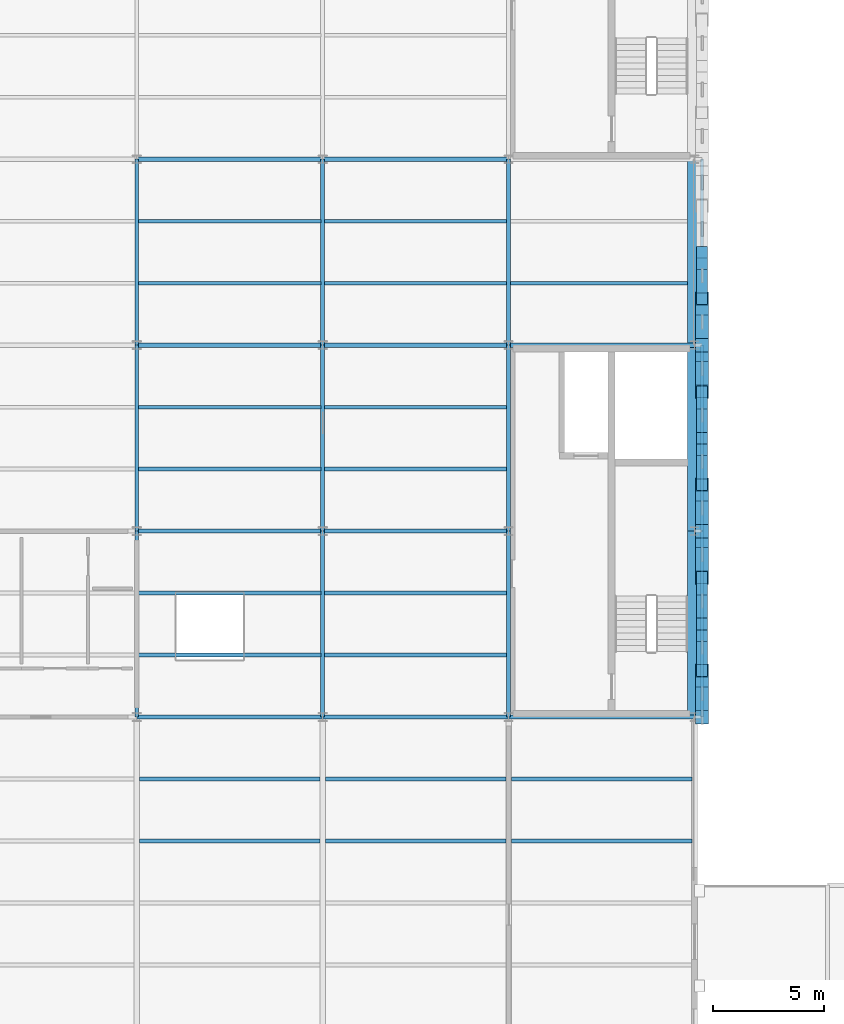
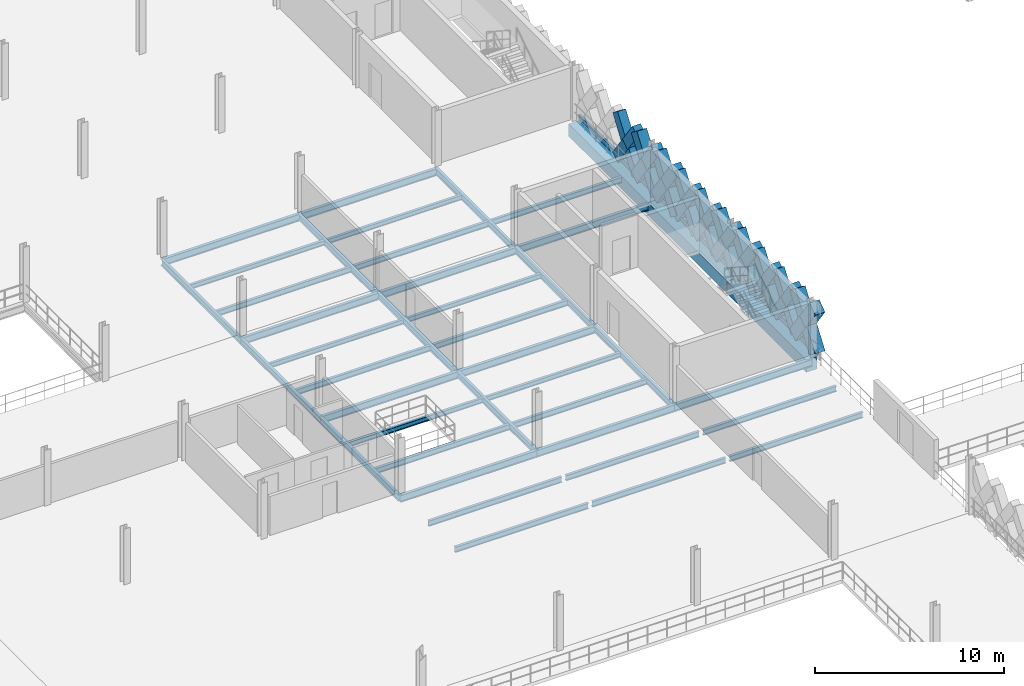
# One storey, part 32 of 101: 41 beams, 33 members.
"""IFC4 building model written with IfcOpenShell, lengths in metres."""

from ifc_helpers import new_model, si_unit, direction, frame, origin, origin_2d, place, context, subcontext, project, spatial, rectangle, hollow_rectangle, i_section, extrude, material, material_profile, profile_set, type_object, element, save


model = new_model("IFC4")

# Units and contexts
model_context = context("Model", 3, precision=1e-05, world=origin(), true_north=direction((0.0, 1.0)))
body_context = subcontext(model_context, "Body", "Model", "MODEL_VIEW")
ifc_project = project(units=[si_unit("LENGTHUNIT", "METRE"), si_unit("AREAUNIT", "SQUARE_METRE"), si_unit("VOLUMEUNIT", "CUBIC_METRE"), si_unit("PLANEANGLEUNIT", "RADIAN"), si_unit("MASSUNIT", "GRAM", prefix="KILO"), si_unit("THERMODYNAMICTEMPERATUREUNIT", "KELVIN"), si_unit("POWERUNIT", "WATT")], contexts=[model_context])

# Site, building, storey
site_placement = place(None, origin())
site = spatial("IfcSite", under=ifc_project, at=site_placement, CompositionType="ELEMENT")
building_placement = place(site_placement, origin())
building = spatial("IfcBuilding", under=site, at=building_placement, Name="Tembeka Court Mobility Hub", CompositionType="ELEMENT")
storey_placement = place(building_placement, frame((0.0, 0.0, 5.39990234375)))
storey = spatial("IfcBuildingStorey", under=building, at=storey_placement, Name="L01", CompositionType="ELEMENT", Elevation=5.39990234375)

# Beams
ifc_material_1 = material(Name="Steel S355", Category="steel")
ifc_material_profile_1 = material_profile(ifc_material_1, i_section(OverallWidth=0.18994140625, OverallDepth=0.45703125, WebThickness=0.009033203125, FlangeThickness=0.014404296875, FilletRadius=0.01025390625, at=origin_2d()), Name="UKB 457x191x74")
ifc_profile_set_1 = profile_set([ifc_material_profile_1], Name="Steel S355")
beam_type_1 = type_object("IfcBeamType", Name="BM-B01", PredefinedType="BEAM", material=ifc_profile_set_1)
beam_1_placement = place(storey_placement, frame((67.199951171875, 38.39990234375, -0.448486328125), z_axis=(1.0, 0.0, 0.0), x_axis=(0.0, 1.0, 0.0)))
element("IfcBeam", 1, at=beam_1_placement, inside=storey, type_object=beam_type_1, Name="Beam B01 (BM-L01-X0657)", PredefinedType="BEAM", context=body_context, shape_type="SweptSolid", body=[
    extrude(i_section(OverallWidth=0.18994140625, OverallDepth=0.45703125, WebThickness=0.009033203125, FlangeThickness=0.014404296875, FilletRadius=0.01025390625, at=origin_2d()), origin(), (0.0, 0.0, 1.0), 8.400146484375),
])
for number, where, z_axis, x_axis, name in (
    (2, (75.60009765625, 38.39990234375, -0.448486328125), (1.0, 0.0, 0.0), (0.0, 1.0, 0.0), "Beam B01 (BM-L01-X0658)"),
    (3, (84.0, 38.39990234375, -0.448486328125), (1.0, 0.0, 0.0), (0.0, 1.0, 0.0), "Beam B01 (BM-L01-X0659)"),
):
    element("IfcBeam", number, at=place(storey_placement, frame(where, z_axis=z_axis, x_axis=x_axis)), inside=storey, type_object=beam_type_1, Name=name, PredefinedType="BEAM", context=body_context, shape_type="SweptSolid", body=[
        extrude(i_section(OverallWidth=0.18994140625, OverallDepth=0.45703125, WebThickness=0.009033203125, FlangeThickness=0.014404296875, FilletRadius=0.01025390625, at=origin_2d()), origin(), (0.0, 0.0, 1.0), 8.39990234375),
    ])
beam_2_placement = place(storey_placement, frame((67.199951171875, 46.800048828125, -0.448486328125), z_axis=(1.0, 0.0, 0.0), x_axis=(0.0, 1.0, 0.0)))
element("IfcBeam", 4, at=beam_2_placement, inside=storey, type_object=beam_type_1, Name="Beam B01 (BM-L01-X0672)", PredefinedType="BEAM", context=body_context, shape_type="SweptSolid", body=[
    extrude(i_section(OverallWidth=0.18994140625, OverallDepth=0.45703125, WebThickness=0.009033203125, FlangeThickness=0.014404296875, FilletRadius=0.01025390625, at=origin_2d()), origin(), (0.0, 0.0, 1.0), 8.400146484375),
])
beam_3_placement = place(storey_placement, frame((75.60009765625, 46.800048828125, -0.448486328125), z_axis=(1.0, 0.0, 0.0), x_axis=(0.0, 1.0, 0.0)))
element("IfcBeam", 5, at=beam_3_placement, inside=storey, type_object=beam_type_1, Name="Beam B01 (BM-L01-X0673)", PredefinedType="BEAM", context=body_context, shape_type="SweptSolid", body=[
    extrude(i_section(OverallWidth=0.18994140625, OverallDepth=0.45703125, WebThickness=0.009033203125, FlangeThickness=0.014404296875, FilletRadius=0.01025390625, at=origin_2d()), origin(), (0.0, 0.0, 1.0), 8.39990234375),
])
beam_4_placement = place(storey_placement, frame((67.199951171875, 55.199951171875, -0.448486328125), z_axis=(1.0, 0.0, 0.0), x_axis=(0.0, 1.0, 0.0)))
element("IfcBeam", 6, at=beam_4_placement, inside=storey, type_object=beam_type_1, Name="Beam B01 (BM-L01-X0687)", PredefinedType="BEAM", context=body_context, shape_type="SweptSolid", body=[
    extrude(i_section(OverallWidth=0.18994140625, OverallDepth=0.45703125, WebThickness=0.009033203125, FlangeThickness=0.014404296875, FilletRadius=0.01025390625, at=origin_2d()), origin(), (0.0, 0.0, 1.0), 8.400146484375),
])
for number, where, z_axis, x_axis, name in (
    (7, (75.60009765625, 55.199951171875, -0.448486328125), (1.0, 0.0, 0.0), (0.0, 1.0, 0.0), "Beam B01 (BM-L01-X0688)"),
    (8, (84.0, 55.199951171875, -0.448486328125), (1.0, 0.0, 0.0), (0.0, 1.0, 0.0), "Beam B01 (BM-L01-X0689)"),
):
    element("IfcBeam", number, at=place(storey_placement, frame(where, z_axis=z_axis, x_axis=x_axis)), inside=storey, type_object=beam_type_1, Name=name, PredefinedType="BEAM", context=body_context, shape_type="SweptSolid", body=[
        extrude(i_section(OverallWidth=0.18994140625, OverallDepth=0.45703125, WebThickness=0.009033203125, FlangeThickness=0.014404296875, FilletRadius=0.01025390625, at=origin_2d()), origin(), (0.0, 0.0, 1.0), 8.39990234375),
    ])
beam_5_placement = place(storey_placement, frame((67.199951171875, 63.60009765625, -0.448486328125), z_axis=(1.0, 0.0, 0.0), x_axis=(0.0, 1.0, 0.0)))
element("IfcBeam", 9, at=beam_5_placement, inside=storey, type_object=beam_type_1, Name="Beam B01 (BM-L01-X0699)", PredefinedType="BEAM", context=body_context, shape_type="SweptSolid", body=[
    extrude(i_section(OverallWidth=0.18994140625, OverallDepth=0.45703125, WebThickness=0.009033203125, FlangeThickness=0.014404296875, FilletRadius=0.01025390625, at=origin_2d()), origin(), (0.0, 0.0, 1.0), 8.400146484375),
])
beam_6_placement = place(storey_placement, frame((75.60009765625, 63.60009765625, -0.448486328125), z_axis=(1.0, 0.0, 0.0), x_axis=(0.0, 1.0, 0.0)))
element("IfcBeam", 10, at=beam_6_placement, inside=storey, type_object=beam_type_1, Name="Beam B01 (BM-L01-X0700)", PredefinedType="BEAM", context=body_context, shape_type="SweptSolid", body=[
    extrude(i_section(OverallWidth=0.18994140625, OverallDepth=0.45703125, WebThickness=0.009033203125, FlangeThickness=0.014404296875, FilletRadius=0.01025390625, at=origin_2d()), origin(), (0.0, 0.0, 1.0), 8.39990234375),
])
ifc_material_profile_2 = material_profile(ifc_material_1, i_section(OverallWidth=0.177978515625, OverallDepth=0.406005859375, WebThickness=0.0078125, FlangeThickness=0.0126953125, FilletRadius=0.01025390625, at=origin_2d()), Name="UKB 406x178x60")
ifc_profile_set_2 = profile_set([ifc_material_profile_2], Name="Steel S355")
beam_type_2 = type_object("IfcBeamType", Name="BM-B02", PredefinedType="BEAM", material=ifc_profile_set_2)
beam_7_placement = place(storey_placement, frame((67.199951171875, 38.39990234375, -0.4228515625), z_axis=(0.0, 1.0, 0.0), x_axis=(-1.0, 0.0, 0.0)))
element("IfcBeam", 11, at=beam_7_placement, inside=storey, type_object=beam_type_2, Name="Beam B02 (BM-L01-Y0831)", PredefinedType="BEAM", context=body_context, shape_type="SweptSolid", body=[
    extrude(i_section(OverallWidth=0.177978515625, OverallDepth=0.406005859375, WebThickness=0.0078125, FlangeThickness=0.0126953125, FilletRadius=0.01025390625, at=origin_2d()), origin(), (0.0, 0.0, 1.0), 8.400146484375),
])
beam_8_placement = place(storey_placement, frame((67.199951171875, 46.800048828125, -0.4228515625), z_axis=(0.0, 1.0, 0.0), x_axis=(-1.0, 0.0, 0.0)))
element("IfcBeam", 12, at=beam_8_placement, inside=storey, type_object=beam_type_2, Name="Beam B02 (BM-L01-Y0832)", PredefinedType="BEAM", context=body_context, shape_type="SweptSolid", body=[
    extrude(i_section(OverallWidth=0.177978515625, OverallDepth=0.406005859375, WebThickness=0.0078125, FlangeThickness=0.0126953125, FilletRadius=0.01025390625, at=origin_2d()), origin(), (0.0, 0.0, 1.0), 8.39990234375),
])
for number, where, z_axis, x_axis, name in (
    (13, (67.199951171875, 55.199951171875, -0.4228515625), (0.0, 1.0, 0.0), (-1.0, 0.0, 0.0), "Beam B02 (BM-L01-Y0833)"),
    (14, (75.60009765625, 38.39990234375, -0.4228515625), (0.0, 1.0, 0.0), (-1.0, 0.0, 0.0), "Beam B02 (BM-L01-Y0838)"),
):
    element("IfcBeam", number, at=place(storey_placement, frame(where, z_axis=z_axis, x_axis=x_axis)), inside=storey, type_object=beam_type_2, Name=name, PredefinedType="BEAM", context=body_context, shape_type="SweptSolid", body=[
        extrude(i_section(OverallWidth=0.177978515625, OverallDepth=0.406005859375, WebThickness=0.0078125, FlangeThickness=0.0126953125, FilletRadius=0.01025390625, at=origin_2d()), origin(), (0.0, 0.0, 1.0), 8.400146484375),
    ])
beam_9_placement = place(storey_placement, frame((75.60009765625, 46.800048828125, -0.4228515625), z_axis=(0.0, 1.0, 0.0), x_axis=(-1.0, 0.0, 0.0)))
element("IfcBeam", 15, at=beam_9_placement, inside=storey, type_object=beam_type_2, Name="Beam B02 (BM-L01-Y0839)", PredefinedType="BEAM", context=body_context, shape_type="SweptSolid", body=[
    extrude(i_section(OverallWidth=0.177978515625, OverallDepth=0.406005859375, WebThickness=0.0078125, FlangeThickness=0.0126953125, FilletRadius=0.01025390625, at=origin_2d()), origin(), (0.0, 0.0, 1.0), 8.39990234375),
])
for number, where, z_axis, x_axis, name in (
    (16, (75.60009765625, 55.199951171875, -0.4228515625), (0.0, 1.0, 0.0), (-1.0, 0.0, 0.0), "Beam B02 (BM-L01-Y0840)"),
    (17, (84.0, 38.39990234375, -0.4228515625), (0.0, 1.0, 0.0), (-1.0, 0.0, 0.0), "Beam B02 (BM-L01-Y0847)"),
):
    element("IfcBeam", number, at=place(storey_placement, frame(where, z_axis=z_axis, x_axis=x_axis)), inside=storey, type_object=beam_type_2, Name=name, PredefinedType="BEAM", context=body_context, shape_type="SweptSolid", body=[
        extrude(i_section(OverallWidth=0.177978515625, OverallDepth=0.406005859375, WebThickness=0.0078125, FlangeThickness=0.0126953125, FilletRadius=0.01025390625, at=origin_2d()), origin(), (0.0, 0.0, 1.0), 8.400146484375),
    ])
beam_10_placement = place(storey_placement, frame((84.0, 46.800048828125, -0.4228515625), z_axis=(0.0, 1.0, 0.0), x_axis=(-1.0, 0.0, 0.0)))
element("IfcBeam", 18, at=beam_10_placement, inside=storey, type_object=beam_type_2, Name="Beam B02 (BM-L01-Y0848)", PredefinedType="BEAM", context=body_context, shape_type="SweptSolid", body=[
    extrude(i_section(OverallWidth=0.177978515625, OverallDepth=0.406005859375, WebThickness=0.0078125, FlangeThickness=0.0126953125, FilletRadius=0.01025390625, at=origin_2d()), origin(), (0.0, 0.0, 1.0), 8.39990234375),
])
beam_11_placement = place(storey_placement, frame((84.0, 55.199951171875, -0.4228515625), z_axis=(0.0, 1.0, 0.0), x_axis=(-1.0, 0.0, 0.0)))
element("IfcBeam", 19, at=beam_11_placement, inside=storey, type_object=beam_type_2, Name="Beam B02 (BM-L01-Y0849)", PredefinedType="BEAM", context=body_context, shape_type="SweptSolid", body=[
    extrude(i_section(OverallWidth=0.177978515625, OverallDepth=0.406005859375, WebThickness=0.0078125, FlangeThickness=0.0126953125, FilletRadius=0.01025390625, at=origin_2d()), origin(), (0.0, 0.0, 1.0), 8.400146484375),
])
ifc_material_profile_3 = material_profile(ifc_material_1, i_section(OverallWidth=0.172119140625, OverallDepth=0.35498046875, WebThickness=0.00732421875, FlangeThickness=0.011474609375, FilletRadius=0.01025390625, at=origin_2d()), Name="UKB 356x171x51")
ifc_profile_set_3 = profile_set([ifc_material_profile_3], Name="Steel S355")
beam_type_3 = type_object("IfcBeamType", Name="BM-J01", PredefinedType="JOIST", material=ifc_profile_set_3)
for number, where, z_axis, x_axis, name in (
    (20, (67.322021484375, 32.800048828125, -0.3974609375), (1.0, 0.0, 0.0), (0.0, 1.0, 0.0), "Beam J01 (JST-L01-1058)"),
    (21, (67.322021484375, 35.60009765625, -0.3974609375), (1.0, 0.0, 0.0), (0.0, 1.0, 0.0), "Beam J01 (JST-L01-1059)"),
    (22, (75.721923828125, 32.800048828125, -0.3974609375), (1.0, 0.0, 0.0), (0.0, 1.0, 0.0), "Beam J01 (JST-L01-1078)"),
    (23, (75.721923828125, 35.60009765625, -0.3974609375), (1.0, 0.0, 0.0), (0.0, 1.0, 0.0), "Beam J01 (JST-L01-1079)"),
    (24, (84.1220703125, 32.800048828125, -0.3974609375), (1.0, 0.0, 0.0), (0.0, 1.0, 0.0), "Beam J01 (JST-L01-1098)"),
    (25, (84.1220703125, 35.60009765625, -0.3974609375), (1.0, 0.0, 0.0), (0.0, 1.0, 0.0), "Beam J01 (JST-L01-1099)"),
):
    element("IfcBeam", number, at=place(storey_placement, frame(where, z_axis=z_axis, x_axis=x_axis)), inside=storey, type_object=beam_type_3, Name=name, PredefinedType="JOIST", context=body_context, shape_type="SweptSolid", body=[
        extrude(i_section(OverallWidth=0.172119140625, OverallDepth=0.35498046875, WebThickness=0.00732421875, FlangeThickness=0.011474609375, FilletRadius=0.01025390625, at=origin_2d()), origin(), (0.0, 0.0, 1.0), 8.156005859375),
    ])
ifc_material_profile_4 = material_profile(ifc_material_1, i_section(OverallWidth=0.1650390625, OverallDepth=0.303955078125, WebThickness=0.006103515625, FlangeThickness=0.01025390625, FilletRadius=0.0087890625, at=origin_2d()), Name="UKB 305x165x40")
ifc_profile_set_4 = profile_set([ifc_material_profile_4], Name="Steel S355")
beam_type_4 = type_object("IfcBeamType", Name="BM-J02", PredefinedType="JOIST", material=ifc_profile_set_4)
for number, where, z_axis, x_axis, name in (
    (26, (67.283935546875, 44.0, -0.371826171875), (1.0, 0.0, 0.0), (0.0, 1.0, 0.0), "Beam J02 (JST-L01-1061)"),
    (27, (67.283935546875, 52.39990234375, -0.371826171875), (1.0, 0.0, 0.0), (0.0, 1.0, 0.0), "Beam J02 (JST-L01-1063)"),
    (28, (67.283935546875, 60.800048828125, -0.371826171875), (1.0, 0.0, 0.0), (0.0, 1.0, 0.0), "Beam J02 (JST-L01-1065)"),
):
    element("IfcBeam", number, at=place(storey_placement, frame(where, z_axis=z_axis, x_axis=x_axis)), inside=storey, type_object=beam_type_4, Name=name, PredefinedType="JOIST", context=body_context, shape_type="SweptSolid", body=[
        extrude(i_section(OverallWidth=0.1650390625, OverallDepth=0.303955078125, WebThickness=0.006103515625, FlangeThickness=0.01025390625, FilletRadius=0.0087890625, at=origin_2d()), origin(), (0.0, 0.0, 1.0), 8.232177734375),
    ])
for number, where, z_axis, x_axis, name in (
    (29, (75.68408203125, 44.0, -0.371826171875), (1.0, 0.0, 0.0), (0.0, 1.0, 0.0), "Beam J02 (JST-L01-1081)"),
    (30, (75.68408203125, 52.39990234375, -0.371826171875), (1.0, 0.0, 0.0), (0.0, 1.0, 0.0), "Beam J02 (JST-L01-1083)"),
    (31, (75.68408203125, 60.800048828125, -0.371826171875), (1.0, 0.0, 0.0), (0.0, 1.0, 0.0), "Beam J02 (JST-L01-1085)"),
):
    element("IfcBeam", number, at=place(storey_placement, frame(where, z_axis=z_axis, x_axis=x_axis)), inside=storey, type_object=beam_type_4, Name=name, PredefinedType="JOIST", context=body_context, shape_type="SweptSolid", body=[
        extrude(i_section(OverallWidth=0.1650390625, OverallDepth=0.303955078125, WebThickness=0.006103515625, FlangeThickness=0.01025390625, FilletRadius=0.0087890625, at=origin_2d()), origin(), (0.0, 0.0, 1.0), 8.23193359375),
    ])
ifc_material_profile_5 = material_profile(ifc_material_1, i_section(OverallWidth=0.169921875, OverallDepth=0.360107421875, WebThickness=0.008056640625, FlangeThickness=0.0126953125, FilletRadius=0.01806640625, at=origin_2d()), Name="IPE 360")
ifc_profile_set_5 = profile_set([ifc_material_profile_5], Name="Steel S355")
beam_type_5 = type_object("IfcBeamType", Name="BM-J03", PredefinedType="JOIST", material=ifc_profile_set_5)
for number, where, z_axis, x_axis, name in (
    (32, (67.283935546875, 41.199951171875, -0.39990234375), (1.0, 0.0, 0.0), (0.0, 1.0, 0.0), "Beam J03 (JST-L01-1060)"),
    (33, (67.283935546875, 49.60009765625, -0.39990234375), (1.0, 0.0, 0.0), (0.0, 1.0, 0.0), "Beam J03 (JST-L01-1062)"),
    (34, (67.283935546875, 58.0, -0.39990234375), (1.0, 0.0, 0.0), (0.0, 1.0, 0.0), "Beam J03 (JST-L01-1064)"),
):
    element("IfcBeam", number, at=place(storey_placement, frame(where, z_axis=z_axis, x_axis=x_axis)), inside=storey, type_object=beam_type_5, Name=name, PredefinedType="JOIST", context=body_context, shape_type="SweptSolid", body=[
        extrude(i_section(OverallWidth=0.169921875, OverallDepth=0.360107421875, WebThickness=0.008056640625, FlangeThickness=0.0126953125, FilletRadius=0.01806640625, at=origin_2d()), origin(), (0.0, 0.0, 1.0), 8.232177734375),
    ])
for number, where, z_axis, x_axis, name in (
    (35, (75.68408203125, 41.199951171875, -0.39990234375), (1.0, 0.0, 0.0), (0.0, 1.0, 0.0), "Beam J03 (JST-L01-1080)"),
    (36, (75.68408203125, 49.60009765625, -0.39990234375), (1.0, 0.0, 0.0), (0.0, 1.0, 0.0), "Beam J03 (JST-L01-1082)"),
    (37, (75.68408203125, 58.0, -0.39990234375), (1.0, 0.0, 0.0), (0.0, 1.0, 0.0), "Beam J03 (JST-L01-1084)"),
):
    element("IfcBeam", number, at=place(storey_placement, frame(where, z_axis=z_axis, x_axis=x_axis)), inside=storey, type_object=beam_type_5, Name=name, PredefinedType="JOIST", context=body_context, shape_type="SweptSolid", body=[
        extrude(i_section(OverallWidth=0.169921875, OverallDepth=0.360107421875, WebThickness=0.008056640625, FlangeThickness=0.0126953125, FilletRadius=0.01806640625, at=origin_2d()), origin(), (0.0, 0.0, 1.0), 8.23193359375),
    ])
beam_12_placement = place(storey_placement, frame((84.083984375, 58.0, -0.39990234375), z_axis=(1.0, 0.0, 0.0), x_axis=(0.0, 1.0, 0.0)))
element("IfcBeam", 38, at=beam_12_placement, inside=storey, type_object=beam_type_5, Name="Beam J03 (JST-L01-1100)", PredefinedType="JOIST", context=body_context, shape_type="SweptSolid", body=[
    extrude(i_section(OverallWidth=0.169921875, OverallDepth=0.360107421875, WebThickness=0.008056640625, FlangeThickness=0.0126953125, FilletRadius=0.01806640625, at=origin_2d()), origin(), (0.0, 0.0, 1.0), 7.99609375),
])
ifc_material_2 = material(Name="Precast concrete C45/55", Category="concrete")
ifc_material_profile_6 = material_profile(ifc_material_2, rectangle(XDim=0.64990234375, YDim=0.800048828125, at=origin_2d()), Name="PC-SP 650x800")
ifc_profile_set_6 = profile_set([ifc_material_profile_6], Name="Precast concrete C45/55")
beam_type_6 = type_object("IfcBeamType", Name="BM-SP01", PredefinedType="SPANDREL", material=ifc_profile_set_6)
beam_13_placement = place(storey_placement, frame((92.39990234375, 38.39990234375, -0.619873046875), z_axis=(0.0, 1.0, 0.0), x_axis=(-1.0, 0.0, 0.0)))
element("IfcBeam", 39, at=beam_13_placement, inside=storey, type_object=beam_type_6, Name="Beam SP01 (BM-L01-Y0858)", PredefinedType="SPANDREL", context=body_context, shape_type="SweptSolid", body=[
    extrude(rectangle(XDim=0.64990234375, YDim=0.800048828125, at=origin_2d()), origin(), (0.0, 0.0, 1.0), 8.400146484375),
])
beam_14_placement = place(storey_placement, frame((92.39990234375, 46.800048828125, -0.619873046875), z_axis=(0.0, 1.0, 0.0), x_axis=(-1.0, 0.0, 0.0)))
element("IfcBeam", 40, at=beam_14_placement, inside=storey, type_object=beam_type_6, Name="Beam SP01 (BM-L01-Y0859)", PredefinedType="SPANDREL", context=body_context, shape_type="SweptSolid", body=[
    extrude(rectangle(XDim=0.64990234375, YDim=0.800048828125, at=origin_2d()), origin(), (0.0, 0.0, 1.0), 8.39990234375),
])
beam_15_placement = place(storey_placement, frame((92.39990234375, 55.199951171875, -0.619873046875), z_axis=(0.0, 1.0, 0.0), x_axis=(-1.0, 0.0, 0.0)))
element("IfcBeam", 41, at=beam_15_placement, inside=storey, type_object=beam_type_6, Name="Beam SP01 (BM-L01-Y0860)", PredefinedType="SPANDREL", context=body_context, shape_type="SweptSolid", body=[
    extrude(rectangle(XDim=0.64990234375, YDim=0.800048828125, at=origin_2d()), origin(), (0.0, 0.0, 1.0), 8.400146484375),
])

# Members
ifc_material_profile_7 = material_profile(ifc_material_2, rectangle(XDim=0.5, YDim=0.64990234375, at=origin_2d()), Name="PC-DIAG 500x650")
ifc_profile_set_7 = profile_set([ifc_material_profile_7], Name="Precast concrete C45/55")
member_type_1 = type_object("IfcMemberType", Name="MEM-DL01", PredefinedType="BRACE", material=ifc_profile_set_7)
member_1_placement = place(storey_placement, frame((92.739990234375, 40.5, 0.02001953125), z_axis=(0.0, 0.582544294934, 0.812798956963), x_axis=(-1.0, 0.0, 0.0)))
element("IfcMember", 42, at=member_1_placement, inside=storey, type_object=member_type_1, Name="Precast diamond lattice continuous strand DL01 (L01-156C)", PredefinedType="BRACE", context=body_context, shape_type="SweptSolid", body=[
    extrude(rectangle(XDim=0.5, YDim=0.64990234375, at=origin_2d()), origin(), (0.0, 0.0, 1.0), 3.60498046875),
])
for number, where, z_axis, x_axis, name in (
    (43, (92.739990234375, 42.60009765625, 0.02001953125), (0.0, -0.582544294934, 0.812798956963), (1.0, 0.0, 0.0), "Precast diamond lattice split lower strand DL01 (L01-156D1)"),
    (44, (92.739990234375, 41.550048828125, 1.485107421875), (0.0, -0.582544294934, 0.812798956963), (1.0, 0.0, 0.0), "Precast diamond lattice split upper strand DL01 (L01-156D2)"),
):
    element("IfcMember", number, at=place(storey_placement, frame(where, z_axis=z_axis, x_axis=x_axis)), inside=storey, type_object=member_type_1, Name=name, PredefinedType="BRACE", context=body_context, shape_type="SweptSolid", body=[
        extrude(rectangle(XDim=0.5, YDim=0.64990234375, at=origin_2d()), origin(), (0.0, 0.0, 1.0), 1.802490234375),
    ])
member_2_placement = place(storey_placement, frame((92.739990234375, 42.60009765625, 0.02001953125), z_axis=(0.0, 0.582499552306, 0.812831022762), x_axis=(-1.0, 0.0, 0.0)))
element("IfcMember", 45, at=member_2_placement, inside=storey, type_object=member_type_1, Name="Precast diamond lattice continuous strand DL01 (L01-157C)", PredefinedType="BRACE", context=body_context, shape_type="SweptSolid", body=[
    extrude(rectangle(XDim=0.5, YDim=0.64990234375, at=origin_2d()), origin(), (0.0, 0.0, 1.0), 3.60498046875),
])
for number, where, z_axis, x_axis, name in (
    (46, (92.739990234375, 44.699951171875, 0.02001953125), (0.0, -0.582544294934, 0.812798956963), (1.0, 0.0, 0.0), "Precast diamond lattice split lower strand DL01 (L01-157D1)"),
    (47, (92.739990234375, 43.64990234375, 1.485107421875), (0.0, -0.582454804382, 0.812863088627), (1.0, 0.0, 0.0), "Precast diamond lattice split upper strand DL01 (L01-157D2)"),
):
    element("IfcMember", number, at=place(storey_placement, frame(where, z_axis=z_axis, x_axis=x_axis)), inside=storey, type_object=member_type_1, Name=name, PredefinedType="BRACE", context=body_context, shape_type="SweptSolid", body=[
        extrude(rectangle(XDim=0.5, YDim=0.64990234375, at=origin_2d()), origin(), (0.0, 0.0, 1.0), 1.802490234375),
    ])
member_3_placement = place(storey_placement, frame((92.739990234375, 48.89990234375, 0.02001953125), z_axis=(0.0, 0.582544294934, 0.812798956963), x_axis=(-1.0, 0.0, 0.0)))
element("IfcMember", 48, at=member_3_placement, inside=storey, type_object=member_type_1, Name="Precast diamond lattice continuous strand DL01 (L01-160C)", PredefinedType="BRACE", context=body_context, shape_type="SweptSolid", body=[
    extrude(rectangle(XDim=0.5, YDim=0.64990234375, at=origin_2d()), origin(), (0.0, 0.0, 1.0), 3.60498046875),
])
for number, where, z_axis, x_axis, name in (
    (49, (92.739990234375, 51.0, 0.02001953125), (0.0, -0.582544294934, 0.812798956963), (1.0, 0.0, 0.0), "Precast diamond lattice split lower strand DL01 (L01-160D1)"),
    (50, (92.739990234375, 49.949951171875, 1.485107421875), (0.0, -0.582544294934, 0.812798956963), (1.0, 0.0, 0.0), "Precast diamond lattice split upper strand DL01 (L01-160D2)"),
):
    element("IfcMember", number, at=place(storey_placement, frame(where, z_axis=z_axis, x_axis=x_axis)), inside=storey, type_object=member_type_1, Name=name, PredefinedType="BRACE", context=body_context, shape_type="SweptSolid", body=[
        extrude(rectangle(XDim=0.5, YDim=0.64990234375, at=origin_2d()), origin(), (0.0, 0.0, 1.0), 1.802490234375),
    ])
member_4_placement = place(storey_placement, frame((92.739990234375, 51.0, 0.02001953125), z_axis=(0.0, 0.582544294934, 0.812798956963), x_axis=(-1.0, 0.0, 0.0)))
element("IfcMember", 51, at=member_4_placement, inside=storey, type_object=member_type_1, Name="Precast diamond lattice continuous strand DL01 (L01-161C)", PredefinedType="BRACE", context=body_context, shape_type="SweptSolid", body=[
    extrude(rectangle(XDim=0.5, YDim=0.64990234375, at=origin_2d()), origin(), (0.0, 0.0, 1.0), 3.60498046875),
])
for number, where, z_axis, x_axis, name in (
    (52, (92.739990234375, 53.10009765625, 0.02001953125), (0.0, -0.582544294934, 0.812798956963), (1.0, 0.0, 0.0), "Precast diamond lattice split lower strand DL01 (L01-161D1)"),
    (53, (92.739990234375, 52.050048828125, 1.485107421875), (0.0, -0.582544294934, 0.812798956963), (1.0, 0.0, 0.0), "Precast diamond lattice split upper strand DL01 (L01-161D2)"),
):
    element("IfcMember", number, at=place(storey_placement, frame(where, z_axis=z_axis, x_axis=x_axis)), inside=storey, type_object=member_type_1, Name=name, PredefinedType="BRACE", context=body_context, shape_type="SweptSolid", body=[
        extrude(rectangle(XDim=0.5, YDim=0.64990234375, at=origin_2d()), origin(), (0.0, 0.0, 1.0), 1.802490234375),
    ])
member_5_placement = place(storey_placement, frame((92.739990234375, 57.300048828125, 0.02001953125), z_axis=(0.0, 0.582499552306, 0.812831022762), x_axis=(-1.0, 0.0, 0.0)))
element("IfcMember", 54, at=member_5_placement, inside=storey, type_object=member_type_1, Name="Precast diamond lattice continuous strand DL01 (L01-164C)", PredefinedType="BRACE", context=body_context, shape_type="SweptSolid", body=[
    extrude(rectangle(XDim=0.5, YDim=0.64990234375, at=origin_2d()), origin(), (0.0, 0.0, 1.0), 3.60498046875),
])
for number, where, z_axis, x_axis, name in (
    (55, (92.739990234375, 59.39990234375, 0.02001953125), (0.0, -0.582454804382, 0.812863088627), (1.0, 0.0, 0.0), "Precast diamond lattice split lower strand DL01 (L01-164D1)"),
    (56, (92.739990234375, 58.35009765625, 1.485107421875), (0.0, -0.582544294934, 0.812798956963), (1.0, 0.0, 0.0), "Precast diamond lattice split upper strand DL01 (L01-164D2)"),
):
    element("IfcMember", number, at=place(storey_placement, frame(where, z_axis=z_axis, x_axis=x_axis)), inside=storey, type_object=member_type_1, Name=name, PredefinedType="BRACE", context=body_context, shape_type="SweptSolid", body=[
        extrude(rectangle(XDim=0.5, YDim=0.64990234375, at=origin_2d()), origin(), (0.0, 0.0, 1.0), 1.802490234375),
    ])
ifc_material_profile_8 = material_profile(ifc_material_2, rectangle(XDim=0.60009765625, YDim=0.75, at=origin_2d()), Name="PC-DIAG 600x750")
ifc_profile_set_8 = profile_set([ifc_material_profile_8], Name="Precast concrete C45/55")
member_type_2 = type_object("IfcMemberType", Name="MEM-DL02", PredefinedType="BRACE", material=ifc_profile_set_8)
member_6_placement = place(storey_placement, frame((92.739990234375, 38.39990234375, 0.02001953125), z_axis=(0.0, 0.582544294934, 0.812798956963), x_axis=(-1.0, 0.0, 0.0)))
element("IfcMember", 57, at=member_6_placement, inside=storey, type_object=member_type_2, Name="Precast diamond lattice continuous strand DL02 (L01-155C)", PredefinedType="BRACE", context=body_context, shape_type="SweptSolid", body=[
    extrude(rectangle(XDim=0.60009765625, YDim=0.75, at=origin_2d()), origin(), (0.0, 0.0, 1.0), 3.60498046875),
])
for number, where, z_axis, x_axis, name in (
    (58, (92.739990234375, 40.5, 0.02001953125), (0.0, -0.582544294934, 0.812798956963), (1.0, 0.0, 0.0), "Precast diamond lattice split lower strand DL02 (L01-155D1)"),
    (59, (92.739990234375, 39.449951171875, 1.485107421875), (0.0, -0.582544294934, 0.812798956963), (1.0, 0.0, 0.0), "Precast diamond lattice split upper strand DL02 (L01-155D2)"),
):
    element("IfcMember", number, at=place(storey_placement, frame(where, z_axis=z_axis, x_axis=x_axis)), inside=storey, type_object=member_type_2, Name=name, PredefinedType="BRACE", context=body_context, shape_type="SweptSolid", body=[
        extrude(rectangle(XDim=0.60009765625, YDim=0.75, at=origin_2d()), origin(), (0.0, 0.0, 1.0), 1.802490234375),
    ])
member_7_placement = place(storey_placement, frame((92.739990234375, 44.699951171875, 0.02001953125), z_axis=(0.0, 0.582544294934, 0.812798956963), x_axis=(-1.0, 0.0, 0.0)))
element("IfcMember", 60, at=member_7_placement, inside=storey, type_object=member_type_2, Name="Precast diamond lattice continuous strand DL02 (L01-158C)", PredefinedType="BRACE", context=body_context, shape_type="SweptSolid", body=[
    extrude(rectangle(XDim=0.60009765625, YDim=0.75, at=origin_2d()), origin(), (0.0, 0.0, 1.0), 3.60498046875),
])
for number, where, z_axis, x_axis, name in (
    (61, (92.739990234375, 46.800048828125, 0.02001953125), (0.0, -0.582544294934, 0.812798956963), (1.0, 0.0, 0.0), "Precast diamond lattice split lower strand DL02 (L01-158D1)"),
    (62, (92.739990234375, 45.75, 1.485107421875), (0.0, -0.582544294934, 0.812798956963), (1.0, 0.0, 0.0), "Precast diamond lattice split upper strand DL02 (L01-158D2)"),
):
    element("IfcMember", number, at=place(storey_placement, frame(where, z_axis=z_axis, x_axis=x_axis)), inside=storey, type_object=member_type_2, Name=name, PredefinedType="BRACE", context=body_context, shape_type="SweptSolid", body=[
        extrude(rectangle(XDim=0.60009765625, YDim=0.75, at=origin_2d()), origin(), (0.0, 0.0, 1.0), 1.802490234375),
    ])
member_8_placement = place(storey_placement, frame((92.739990234375, 46.800048828125, 0.02001953125), z_axis=(0.0, 0.582499552306, 0.812831022762), x_axis=(-1.0, 0.0, 0.0)))
element("IfcMember", 63, at=member_8_placement, inside=storey, type_object=member_type_2, Name="Precast diamond lattice continuous strand DL02 (L01-159C)", PredefinedType="BRACE", context=body_context, shape_type="SweptSolid", body=[
    extrude(rectangle(XDim=0.60009765625, YDim=0.75, at=origin_2d()), origin(), (0.0, 0.0, 1.0), 3.60498046875),
])
for number, where, z_axis, x_axis, name in (
    (64, (92.739990234375, 48.89990234375, 0.02001953125), (0.0, -0.582454804382, 0.812863088627), (1.0, 0.0, 0.0), "Precast diamond lattice split lower strand DL02 (L01-159D1)"),
    (65, (92.739990234375, 47.85009765625, 1.485107421875), (0.0, -0.582544294934, 0.812798956963), (1.0, 0.0, 0.0), "Precast diamond lattice split upper strand DL02 (L01-159D2)"),
):
    element("IfcMember", number, at=place(storey_placement, frame(where, z_axis=z_axis, x_axis=x_axis)), inside=storey, type_object=member_type_2, Name=name, PredefinedType="BRACE", context=body_context, shape_type="SweptSolid", body=[
        extrude(rectangle(XDim=0.60009765625, YDim=0.75, at=origin_2d()), origin(), (0.0, 0.0, 1.0), 1.802490234375),
    ])
member_9_placement = place(storey_placement, frame((92.739990234375, 53.10009765625, 0.02001953125), z_axis=(0.0, 0.582499552306, 0.812831022762), x_axis=(-1.0, 0.0, 0.0)))
element("IfcMember", 66, at=member_9_placement, inside=storey, type_object=member_type_2, Name="Precast diamond lattice continuous strand DL02 (L01-162C)", PredefinedType="BRACE", context=body_context, shape_type="SweptSolid", body=[
    extrude(rectangle(XDim=0.60009765625, YDim=0.75, at=origin_2d()), origin(), (0.0, 0.0, 1.0), 3.60498046875),
])
for number, where, z_axis, x_axis, name in (
    (67, (92.739990234375, 55.199951171875, 0.02001953125), (0.0, -0.582544294934, 0.812798956963), (1.0, 0.0, 0.0), "Precast diamond lattice split lower strand DL02 (L01-162D1)"),
    (68, (92.739990234375, 54.14990234375, 1.485107421875), (0.0, -0.582454804382, 0.812863088627), (1.0, 0.0, 0.0), "Precast diamond lattice split upper strand DL02 (L01-162D2)"),
):
    element("IfcMember", number, at=place(storey_placement, frame(where, z_axis=z_axis, x_axis=x_axis)), inside=storey, type_object=member_type_2, Name=name, PredefinedType="BRACE", context=body_context, shape_type="SweptSolid", body=[
        extrude(rectangle(XDim=0.60009765625, YDim=0.75, at=origin_2d()), origin(), (0.0, 0.0, 1.0), 1.802490234375),
    ])
member_10_placement = place(storey_placement, frame((92.739990234375, 55.199951171875, 0.02001953125), z_axis=(0.0, 0.582544294934, 0.812798956963), x_axis=(-1.0, 0.0, 0.0)))
element("IfcMember", 69, at=member_10_placement, inside=storey, type_object=member_type_2, Name="Precast diamond lattice continuous strand DL02 (L01-163C)", PredefinedType="BRACE", context=body_context, shape_type="SweptSolid", body=[
    extrude(rectangle(XDim=0.60009765625, YDim=0.75, at=origin_2d()), origin(), (0.0, 0.0, 1.0), 3.60498046875),
])
for number, where, z_axis, x_axis, name in (
    (70, (92.739990234375, 57.300048828125, 0.02001953125), (0.0, -0.582544294934, 0.812798956963), (1.0, 0.0, 0.0), "Precast diamond lattice split lower strand DL02 (L01-163D1)"),
    (71, (92.739990234375, 56.25, 1.485107421875), (0.0, -0.582544294934, 0.812798956963), (1.0, 0.0, 0.0), "Precast diamond lattice split upper strand DL02 (L01-163D2)"),
):
    element("IfcMember", number, at=place(storey_placement, frame(where, z_axis=z_axis, x_axis=x_axis)), inside=storey, type_object=member_type_2, Name=name, PredefinedType="BRACE", context=body_context, shape_type="SweptSolid", body=[
        extrude(rectangle(XDim=0.60009765625, YDim=0.75, at=origin_2d()), origin(), (0.0, 0.0, 1.0), 1.802490234375),
    ])
ifc_material_profile_9 = material_profile(ifc_material_1, hollow_rectangle(XDim=0.14990234375, YDim=0.300048828125, WallThickness=0.010009765625, at=origin_2d()), Name="RHS 300x150x10")
ifc_profile_set_9 = profile_set([ifc_material_profile_9], Name="Steel S355")
member_type_3 = type_object("IfcMemberType", Name="MEM-ST03", PredefinedType="STRUT", material=ifc_profile_set_9)
member_11_placement = place(storey_placement, frame((92.739990234375, 38.39990234375, 0.02001953125), z_axis=(0.0, 1.0, 0.0), x_axis=(-1.0, 0.0, 0.0)))
element("IfcMember", 72, at=member_11_placement, inside=storey, type_object=member_type_3, Name="Proud lattice sill tie chord SR03 (L01-E-38)", PredefinedType="STRUT", context=body_context, shape_type="SweptSolid", body=[
    extrude(hollow_rectangle(XDim=0.14990234375, YDim=0.300048828125, WallThickness=0.010009765625, at=origin_2d()), origin(), (0.0, 0.0, 1.0), 8.400146484375),
])
member_12_placement = place(storey_placement, frame((92.739990234375, 46.800048828125, 0.02001953125), z_axis=(0.0, 1.0, 0.0), x_axis=(-1.0, 0.0, 0.0)))
element("IfcMember", 73, at=member_12_placement, inside=storey, type_object=member_type_3, Name="Proud lattice sill tie chord SR03 (L01-E-46)", PredefinedType="STRUT", context=body_context, shape_type="SweptSolid", body=[
    extrude(hollow_rectangle(XDim=0.14990234375, YDim=0.300048828125, WallThickness=0.010009765625, at=origin_2d()), origin(), (0.0, 0.0, 1.0), 8.39990234375),
])
member_13_placement = place(storey_placement, frame((92.739990234375, 55.199951171875, 0.02001953125), z_axis=(0.0, 1.0, 0.0), x_axis=(-1.0, 0.0, 0.0)))
element("IfcMember", 74, at=member_13_placement, inside=storey, type_object=member_type_3, Name="Proud lattice sill tie chord SR03 (L01-E-55)", PredefinedType="STRUT", context=body_context, shape_type="SweptSolid", body=[
    extrude(hollow_rectangle(XDim=0.14990234375, YDim=0.300048828125, WallThickness=0.010009765625, at=origin_2d()), origin(), (0.0, 0.0, 1.0), 8.400146484375),
])

save(model, "model.ifc")
